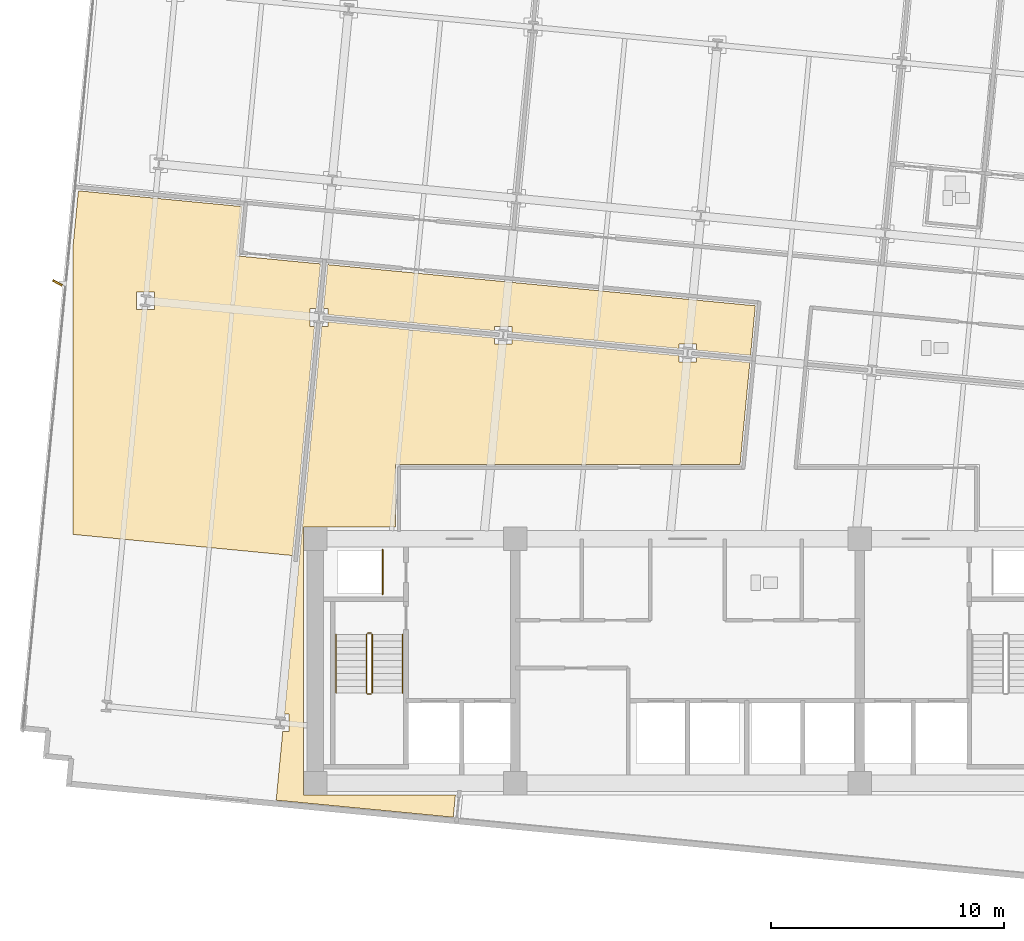
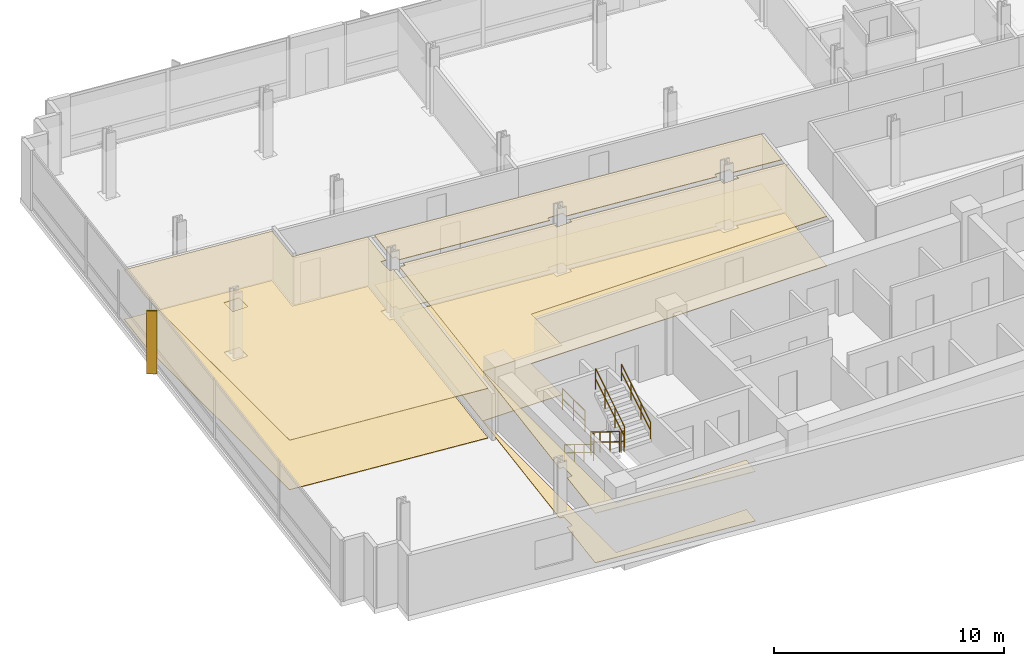
# One storey, part 13 of 16: 7 railings, 6 coverings, 1 shading device.
"""IFC4 building model written with IfcOpenShell, lengths in metres."""

from ifc_helpers import new_model, si_unit, direction, frame, origin, origin_2d, place, context, subcontext, project, spatial, polyline, rectangle, circle, outline, extrude, material, layer, layer_set, type_object, element, save


model = new_model("IFC4")

# Units and contexts
model_context = context("Model", 3, precision=1e-05, world=origin(), true_north=direction((0.0, 1.0)))
body_context = subcontext(model_context, "Body", "Model", "MODEL_VIEW")
ifc_project = project(units=[si_unit("LENGTHUNIT", "METRE"), si_unit("AREAUNIT", "SQUARE_METRE"), si_unit("VOLUMEUNIT", "CUBIC_METRE"), si_unit("PLANEANGLEUNIT", "RADIAN"), si_unit("MASSUNIT", "GRAM", prefix="KILO")], contexts=[model_context])

# Site, building, storey
site_placement = place(None, origin())
site = spatial("IfcSite", under=ifc_project, at=site_placement, CompositionType="ELEMENT")
building_placement = place(site_placement, origin())
building = spatial("IfcBuilding", under=site, at=building_placement, Name="Solmavex Isthmus Hotel", CompositionType="ELEMENT")
storey_placement = place(building_placement, frame((0.0, 0.0, 160.050048828125)))
storey = spatial("IfcBuildingStorey", under=building, at=storey_placement, Name="L43", CompositionType="ELEMENT", Elevation=160.050048828125)

# Coverings
ifc_material_1 = material(Name="Gypsum plasterboard lining", Category="gypsum")
ifc_layer_1 = layer(ifc_material_1, 0.030029296875)
ifc_layer_set_1 = layer_set([ifc_layer_1], Name="Gypsum plasterboard lining")
covering_type_1 = type_object("IfcCoveringType", Name="COV-CEIL-GYP", PredefinedType="CEILING", material=ifc_layer_set_1)
covering_1_placement = place(storey_placement, frame((0.0, 0.0, 2.619873046875)))
element("IfcCovering", 1, at=covering_1_placement, inside=storey, type_object=covering_type_1, Name="Suspended Acoustic Ceiling L43-FL06", PredefinedType="CEILING", context=body_context, shape_type="SweptSolid", body=[
    extrude(outline(polyline([(-0.378662109375, 5.6826171875), (-0.378662109375, 5.870361328125), (0.38134765625, 5.870361328125), (0.38134765625, 5.609375), (2.706787109375, 5.385498046875), (2.911865234375, 7.515625), (-15.463134765625, 9.284912109375), (-15.645263671875, 7.3955078125), (-15.45751953125, 7.3955078125), (-15.45751953125, 7.134521484375), (-8.298095703125, 6.445068359375), (-8.298095703125, 6.6328125), (-7.5380859375, 6.6328125), (-7.5380859375, 6.3720703125), (-0.378662109375, 5.6826171875)])), origin(), (0.0, 0.0, 1.0), 0.030029296875),
])
covering_2_placement = place(storey_placement, frame((0.0, 0.0, 2.619873046875)))
element("IfcCovering", 2, at=covering_2_placement, inside=storey, type_object=covering_type_1, Name="Suspended Acoustic Ceiling L43-FL08", PredefinedType="CEILING", context=body_context, shape_type="SweptSolid", body=[
    extrude(outline(polyline([(-17.322509765625, -10.02392578125), (-17.134765625, -10.02392578125), (-17.134765625, -10.783935546875), (-17.395751953125, -10.783935546875), (-17.67919921875, -13.728515625), (-10.068359375, -14.46142578125), (-9.976318359375, -13.5048828125), (-16.5048828125, -13.5048828125), (-16.5048828125, -1.9951171875), (-12.554931640625, -1.9951171875), (-12.554931640625, 0.705078125), (2.256103515625, 0.705078125), (2.677001953125, 5.076904296875), (0.38134765625, 5.298095703125), (0.38134765625, 5.1103515625), (-0.378662109375, 5.1103515625), (-0.378662109375, 5.37109375), (-7.5380859375, 6.060546875), (-7.5380859375, 5.872802734375), (-8.298095703125, 5.872802734375), (-8.298095703125, 6.1337890625), (-15.45751953125, 6.822998046875), (-15.45751953125, 6.635498046875), (-15.71826171875, 6.635498046875), (-17.322509765625, -10.02392578125)])), origin(), (0.0, 0.0, 1.0), 0.030029296875),
])
covering_3_placement = place(storey_placement, frame((0.0, 0.0, 2.619873046875)))
element("IfcCovering", 3, at=covering_3_placement, inside=storey, type_object=covering_type_1, Name="Suspended Acoustic Ceiling L43-FL10", PredefinedType="CEILING", context=body_context, shape_type="SweptSolid", body=[
    extrude(outline(polyline([(-16.02978515625, 6.635498046875), (-16.217529296875, 6.635498046875), (-16.217529296875, 7.3955078125), (-15.95654296875, 7.3955078125), (-15.771728515625, 9.314697265625), (-19.355224609375, 9.65966796875), (-19.151123046875, 11.780029296875), (-26.176513671875, 12.45654296875), (-26.39990234375, 10.135986328125), (-26.39990234375, -2.31005859375), (-16.978515625, -3.21728515625), (-16.02978515625, 6.635498046875)]), holes=[polyline([(-23.6708984375, 7.35302734375), (-23.6708984375, 8.113037109375), (-22.910888671875, 8.113037109375), (-22.910888671875, 7.35302734375), (-23.6708984375, 7.35302734375)])]), origin(), (0.0, 0.0, 1.0), 0.030029296875),
])
ifc_material_2 = material(Name="Travertine natural stone", Category="masonry")
ifc_layer_2 = layer(ifc_material_2, 0.02490234375)
ifc_layer_set_2 = layer_set([ifc_layer_2], Name="Travertine natural stone")
covering_type_2 = type_object("IfcCoveringType", Name="COV-FLOR-STN", PredefinedType="FLOORING", material=ifc_layer_set_2)
covering_4_placement = place(storey_placement, origin())
element("IfcCovering", 4, at=covering_4_placement, inside=storey, type_object=covering_type_2, Name="Stone and Timber Floor Finish L43-FL06", PredefinedType="FLOORING", context=body_context, shape_type="SweptSolid", body=[
    extrude(outline(polyline([(-0.378662109375, 5.6826171875), (-0.378662109375, 5.870361328125), (0.38134765625, 5.870361328125), (0.38134765625, 5.609375), (2.706787109375, 5.385498046875), (2.911865234375, 7.515625), (-15.463134765625, 9.284912109375), (-15.645263671875, 7.3955078125), (-15.45751953125, 7.3955078125), (-15.45751953125, 7.134521484375), (-8.298095703125, 6.445068359375), (-8.298095703125, 6.6328125), (-7.5380859375, 6.6328125), (-7.5380859375, 6.3720703125), (-0.378662109375, 5.6826171875)])), origin(), (0.0, 0.0, 1.0), 0.02490234375),
])
covering_5_placement = place(storey_placement, origin())
element("IfcCovering", 5, at=covering_5_placement, inside=storey, type_object=covering_type_2, Name="Stone and Timber Floor Finish L43-FL08", PredefinedType="FLOORING", context=body_context, shape_type="SweptSolid", body=[
    extrude(outline(polyline([(-17.322509765625, -10.02392578125), (-17.134765625, -10.02392578125), (-17.134765625, -10.783935546875), (-17.395751953125, -10.783935546875), (-17.67919921875, -13.728515625), (-10.068359375, -14.46142578125), (-9.976318359375, -13.5048828125), (-16.5048828125, -13.5048828125), (-16.5048828125, -1.9951171875), (-12.554931640625, -1.9951171875), (-12.554931640625, 0.705078125), (2.256103515625, 0.705078125), (2.677001953125, 5.076904296875), (0.38134765625, 5.298095703125), (0.38134765625, 5.1103515625), (-0.378662109375, 5.1103515625), (-0.378662109375, 5.37109375), (-7.5380859375, 6.060546875), (-7.5380859375, 5.872802734375), (-8.298095703125, 5.872802734375), (-8.298095703125, 6.1337890625), (-15.45751953125, 6.822998046875), (-15.45751953125, 6.635498046875), (-15.71826171875, 6.635498046875), (-17.322509765625, -10.02392578125)])), origin(), (0.0, 0.0, 1.0), 0.02490234375),
])
covering_6_placement = place(storey_placement, origin())
element("IfcCovering", 6, at=covering_6_placement, inside=storey, type_object=covering_type_2, Name="Stone and Timber Floor Finish L43-FL10", PredefinedType="FLOORING", context=body_context, shape_type="SweptSolid", body=[
    extrude(outline(polyline([(-16.02978515625, 6.635498046875), (-16.217529296875, 6.635498046875), (-16.217529296875, 7.3955078125), (-15.95654296875, 7.3955078125), (-15.771728515625, 9.314697265625), (-19.355224609375, 9.65966796875), (-19.151123046875, 11.780029296875), (-26.176513671875, 12.45654296875), (-26.39990234375, 10.135986328125), (-26.39990234375, -2.31005859375), (-16.978515625, -3.21728515625), (-16.02978515625, 6.635498046875)]), holes=[polyline([(-23.6708984375, 7.35302734375), (-23.6708984375, 8.113037109375), (-22.910888671875, 8.113037109375), (-22.910888671875, 7.35302734375), (-23.6708984375, 7.35302734375)])]), origin(), (0.0, 0.0, 1.0), 0.02490234375),
])

# Railings
ifc_material_3 = material(Name="Clear low-E laminated glass", Category="glass")
ifc_layer_3 = layer(ifc_material_3, 0.080078125)
ifc_layer_set_3 = layer_set([ifc_layer_3], Name="Clear low-E laminated glass")
railing_type_1 = type_object("IfcRailingType", Name="RAIL-ATRIUM-1120", PredefinedType="BALUSTRADE", material=ifc_layer_set_3)
railing_1_placement = place(storey_placement, frame((-13.10009765625, -4.89990234375, 0.0)))
element("IfcRailing", 7, at=railing_1_placement, inside=storey, type_object=railing_type_1, Name="Guardrail Balustrade L43-RSW-01", PredefinedType="BALUSTRADE", context=body_context, shape_type="SweptSolid", body=[
    extrude(circle(Radius=0.02392578125, at=origin_2d()), frame((0.0, 0.0, 1.1259765625), z_axis=(0.0, 1.0, 0.0), x_axis=(-1.0, 0.0, 0.0)), (0.0, 0.0, 1.0), 1.949951171875),
    extrude(circle(Radius=0.02392578125, at=origin_2d()), frame((0.0, 0.0, 0.574951171875), z_axis=(0.0, 1.0, 0.0), x_axis=(-1.0, 0.0, 0.0)), (0.0, 0.0, 1.0), 1.949951171875),
    extrude(circle(Radius=0.02099609375, at=origin_2d()), origin(), (0.0, 0.0, 1.0), 1.101806640625),
    extrude(circle(Radius=0.02099609375, at=origin_2d()), frame((0.0, 0.97509765625, 0.0)), (0.0, 0.0, 1.0), 1.101806640625),
    extrude(circle(Radius=0.02099609375, at=origin_2d()), frame((0.0, 1.949951171875, 0.0)), (0.0, 0.0, 1.0), 1.101806640625),
])
ifc_material_4 = material(Name="Stainless steel 316", Category="steel")
ifc_layer_4 = layer(ifc_material_4, 0.06005859375)
ifc_layer_set_4 = layer_set([ifc_layer_4], Name="Stainless steel 316")
railing_type_2 = type_object("IfcRailingType", Name="RAIL-STAIR-GD", PredefinedType="GUARDRAIL", material=ifc_layer_set_4)
railing_2_placement = place(storey_placement, frame((-13.800048828125, -6.60009765625, 0.17236328125)))
element("IfcRailing", 8, at=railing_2_placement, inside=storey, type_object=railing_type_2, Name="L43 ST-1 stair guard 1", PredefinedType="GUARDRAIL", context=body_context, shape_type="SweptSolid", body=[
    extrude(circle(Radius=0.02392578125, at=origin_2d()), frame((0.0, 0.0, 1.09619140625), z_axis=(0.0, -0.851400495292, 0.524516154772), x_axis=(1.0, 0.0, 0.0)), (0.0, 0.0, 1.0), 2.9599609375),
    extrude(circle(Radius=0.02392578125, at=origin_2d()), frame((0.0, 0.0, 0.56005859375), z_axis=(0.0, -0.851400495292, 0.524516154772), x_axis=(1.0, 0.0, 0.0)), (0.0, 0.0, 1.0), 2.9599609375),
    extrude(circle(Radius=0.02099609375, at=origin_2d()), origin(), (0.0, 0.0, 1.0), 1.072021484375),
    extrude(circle(Radius=0.02099609375, at=origin_2d()), frame((0.0, -0.840087890625, 0.517578125)), (0.0, 0.0, 1.0), 1.072021484375),
    extrude(circle(Radius=0.02099609375, at=origin_2d()), frame((0.0, -1.679931640625, 1.034912109375)), (0.0, 0.0, 1.0), 1.072021484375),
    extrude(circle(Radius=0.02099609375, at=origin_2d()), frame((0.0, -2.52001953125, 1.552490234375)), (0.0, 0.0, 1.0), 1.072021484375),
])
railing_3_placement = place(storey_placement, frame((-13.75, -9.169921875, 1.724853515625)))
element("IfcRailing", 9, at=railing_3_placement, inside=storey, type_object=railing_type_2, Name="L43 ST-1 stair guard 2", PredefinedType="GUARDRAIL", context=body_context, shape_type="SweptSolid", body=[
    extrude(circle(Radius=0.02392578125, at=origin_2d()), frame((0.0, 0.0, 1.09619140625), z_axis=(1.0, 0.0, 0.0), x_axis=(0.0, 1.0, 0.0)), (0.0, 0.0, 1.0), 0.14990234375),
    extrude(circle(Radius=0.02392578125, at=origin_2d()), frame((0.0, 0.0, 0.56005859375), z_axis=(1.0, 0.0, 0.0), x_axis=(0.0, 1.0, 0.0)), (0.0, 0.0, 1.0), 0.14990234375),
    extrude(circle(Radius=0.02099609375, at=origin_2d()), origin(), (0.0, 0.0, 1.0), 1.072021484375),
    extrude(circle(Radius=0.02099609375, at=origin_2d()), frame((0.14990234375, 0.0, 0.0)), (0.0, 0.0, 1.0), 1.072021484375),
])
railing_4_placement = place(storey_placement, frame((-13.550048828125, -9.1201171875, 1.8974609375)))
element("IfcRailing", 10, at=railing_4_placement, inside=storey, type_object=railing_type_2, Name="L43 ST-1 stair guard 3", PredefinedType="GUARDRAIL", context=body_context, shape_type="SweptSolid", body=[
    extrude(circle(Radius=0.02392578125, at=origin_2d()), frame((0.0, 0.0, 1.09619140625), z_axis=(0.0, 0.851400495292, 0.524516154772), x_axis=(-1.0, 0.0, 0.0)), (0.0, 0.0, 1.0), 2.9599609375),
    extrude(circle(Radius=0.02392578125, at=origin_2d()), frame((0.0, 0.0, 0.56005859375), z_axis=(0.0, 0.851400495292, 0.524516154772), x_axis=(-1.0, 0.0, 0.0)), (0.0, 0.0, 1.0), 2.9599609375),
    extrude(circle(Radius=0.02099609375, at=origin_2d()), origin(), (0.0, 0.0, 1.0), 1.072021484375),
    extrude(circle(Radius=0.02099609375, at=origin_2d()), frame((0.0, 0.840087890625, 0.517578125)), (0.0, 0.0, 1.0), 1.072021484375),
    extrude(circle(Radius=0.02099609375, at=origin_2d()), frame((0.0, 1.679931640625, 1.034912109375)), (0.0, 0.0, 1.0), 1.072021484375),
    extrude(circle(Radius=0.02099609375, at=origin_2d()), frame((0.0, 2.52001953125, 1.552490234375)), (0.0, 0.0, 1.0), 1.072021484375),
])
railing_5_placement = place(storey_placement, frame((-13.75, -6.550048828125, 0.0)))
element("IfcRailing", 11, at=railing_5_placement, inside=storey, type_object=railing_type_2, Name="L43 ST-1 stair guard 4", PredefinedType="GUARDRAIL", context=body_context, shape_type="SweptSolid", body=[
    extrude(circle(Radius=0.02392578125, at=origin_2d()), frame((0.0, 0.0, 1.09619140625), z_axis=(1.0, 0.0, 0.0), x_axis=(0.0, 1.0, 0.0)), (0.0, 0.0, 1.0), 0.14990234375),
    extrude(circle(Radius=0.02392578125, at=origin_2d()), frame((0.0, 0.0, 0.56005859375), z_axis=(1.0, 0.0, 0.0), x_axis=(0.0, 1.0, 0.0)), (0.0, 0.0, 1.0), 0.14990234375),
    extrude(circle(Radius=0.02099609375, at=origin_2d()), origin(), (0.0, 0.0, 1.0), 1.072021484375),
    extrude(circle(Radius=0.02099609375, at=origin_2d()), frame((0.14990234375, 0.0, 0.0)), (0.0, 0.0, 1.0), 1.072021484375),
])
ifc_layer_5 = layer(ifc_material_4, 0.050048828125)
ifc_layer_set_5 = layer_set([ifc_layer_5], Name="Stainless steel 316")
railing_type_3 = type_object("IfcRailingType", Name="RAIL-STAIR-HR", PredefinedType="HANDRAIL", material=ifc_layer_set_5)
railing_6_placement = place(storey_placement, frame((-15.10009765625, -6.60009765625, 0.17236328125)))
element("IfcRailing", 12, at=railing_6_placement, inside=storey, type_object=railing_type_3, Name="L43 ST-1 stair handrail 1", PredefinedType="HANDRAIL", context=body_context, shape_type="SweptSolid", body=[
    extrude(circle(Radius=0.02392578125, at=origin_2d()), frame((0.0, 0.0, 0.8759765625), z_axis=(0.0, -0.851400495292, 0.524516154772), x_axis=(1.0, 0.0, 0.0)), (0.0, 0.0, 1.0), 2.9599609375),
    extrude(circle(Radius=0.02392578125, at=origin_2d()), frame((0.0, 0.0, 0.449951171875), z_axis=(0.0, -0.851400495292, 0.524516154772), x_axis=(1.0, 0.0, 0.0)), (0.0, 0.0, 1.0), 2.9599609375),
    extrude(circle(Radius=0.02099609375, at=origin_2d()), origin(), (0.0, 0.0, 1.0), 0.851806640625),
    extrude(circle(Radius=0.02099609375, at=origin_2d()), frame((0.0, -0.840087890625, 0.517578125)), (0.0, 0.0, 1.0), 0.851806640625),
    extrude(circle(Radius=0.02099609375, at=origin_2d()), frame((0.0, -1.679931640625, 1.034912109375)), (0.0, 0.0, 1.0), 0.851806640625),
    extrude(circle(Radius=0.02099609375, at=origin_2d()), frame((0.0, -2.52001953125, 1.552490234375)), (0.0, 0.0, 1.0), 0.851806640625),
])
railing_7_placement = place(storey_placement, frame((-12.25, -9.1201171875, 1.8974609375)))
element("IfcRailing", 13, at=railing_7_placement, inside=storey, type_object=railing_type_3, Name="L43 ST-1 stair handrail 2", PredefinedType="HANDRAIL", context=body_context, shape_type="SweptSolid", body=[
    extrude(circle(Radius=0.02392578125, at=origin_2d()), frame((0.0, 0.0, 0.8759765625), z_axis=(0.0, 0.851400495292, 0.524516154772), x_axis=(-1.0, 0.0, 0.0)), (0.0, 0.0, 1.0), 2.9599609375),
    extrude(circle(Radius=0.02392578125, at=origin_2d()), frame((0.0, 0.0, 0.449951171875), z_axis=(0.0, 0.851400495292, 0.524516154772), x_axis=(-1.0, 0.0, 0.0)), (0.0, 0.0, 1.0), 2.9599609375),
    extrude(circle(Radius=0.02099609375, at=origin_2d()), origin(), (0.0, 0.0, 1.0), 0.851806640625),
    extrude(circle(Radius=0.02099609375, at=origin_2d()), frame((0.0, 0.840087890625, 0.517578125)), (0.0, 0.0, 1.0), 0.851806640625),
    extrude(circle(Radius=0.02099609375, at=origin_2d()), frame((0.0, 1.679931640625, 1.034912109375)), (0.0, 0.0, 1.0), 0.851806640625),
    extrude(circle(Radius=0.02099609375, at=origin_2d()), frame((0.0, 2.52001953125, 1.552490234375)), (0.0, 0.0, 1.0), 0.851806640625),
])

# Shading device
ifc_material_5 = material(Name="Aluminium alloy 6063-T6", Category="aluminium")
shading_device_type = type_object("IfcShadingDeviceType", Name="SHD-FIN-BRONZE", PredefinedType="USERDEFINED", material=ifc_material_5)
shading_device_placement = place(storey_placement, frame((-27.074951171875, 8.499267578125, -0.14013671875), z_axis=(0.0, 0.0, 1.0), x_axis=(-0.87035569594, 0.492423560103, 0.0)))
element("IfcShadingDevice", 14, at=shading_device_placement, inside=storey, type_object=shading_device_type, Name="Anodised Aluminium Solar Fin L43-W1", ObjectType="SOLAR_FIN", PredefinedType="USERDEFINED", context=body_context, shape_type="SweptSolid", body=[
    extrude(rectangle(XDim=0.449951171875, YDim=0.080078125, at=origin_2d()), origin(), (0.0, 0.0, 1.0), 3.330078125),
])

save(model, "model.ifc")
